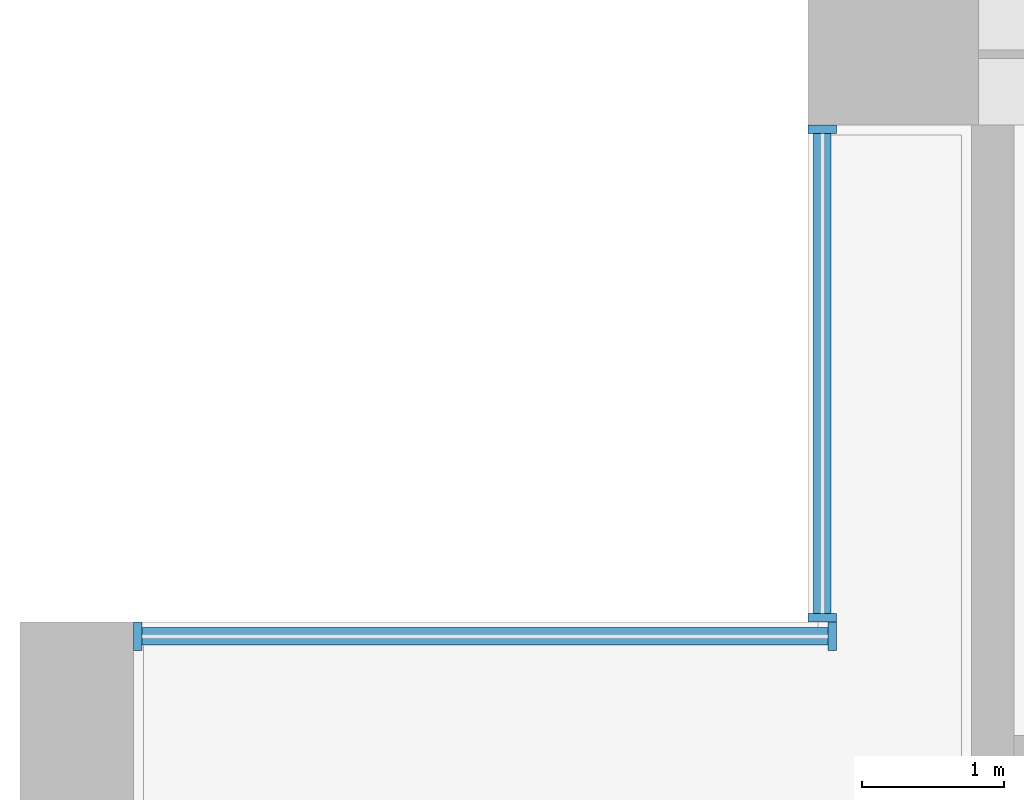
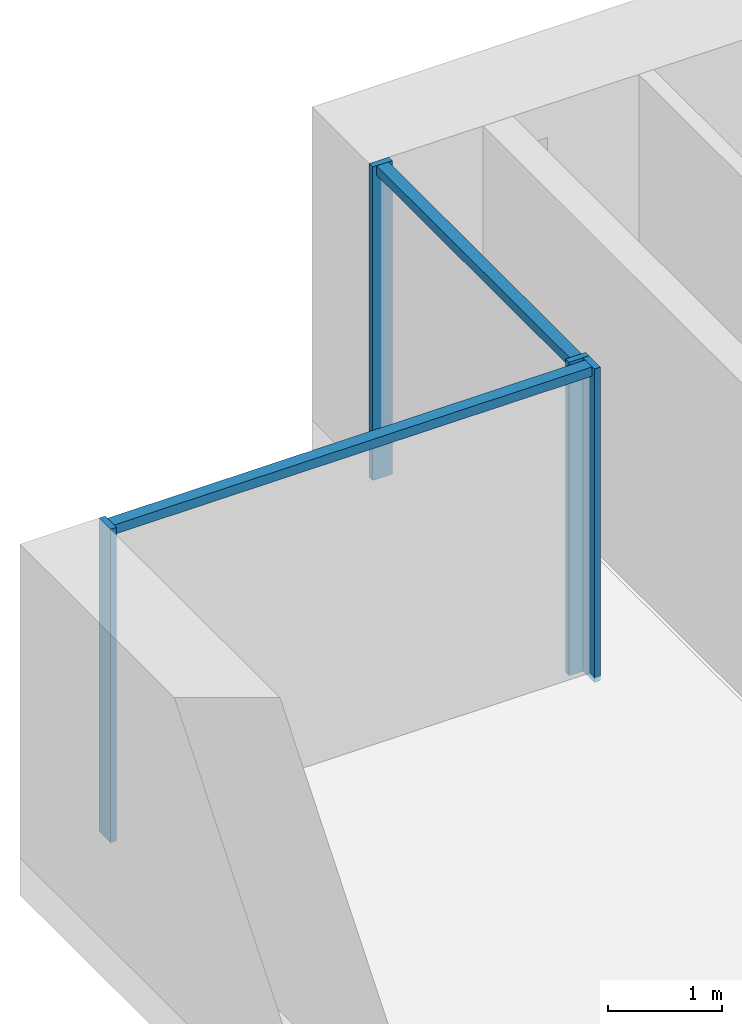
# One storey, part 4 of 17: 6 members, 2 elements without a shape of their own.
"""IFC4 building model written with IfcOpenShell, lengths in metres."""

from ifc_helpers import new_model, si_unit, direction, frame, origin, origin_2d, place, context, subcontext, project, spatial, rectangle, extrude, material, material_profile, profile_set, type_object, element, aggregate, save


model = new_model("IFC4")

# Units and contexts
model_context = context("Model", 3, precision=1e-05, world=origin(), true_north=direction((0.0, 1.0)))
body_context = subcontext(model_context, "Body", "Model", "MODEL_VIEW")
ifc_project = project(units=[si_unit("LENGTHUNIT", "METRE"), si_unit("AREAUNIT", "SQUARE_METRE"), si_unit("VOLUMEUNIT", "CUBIC_METRE"), si_unit("PLANEANGLEUNIT", "RADIAN"), si_unit("MASSUNIT", "GRAM", prefix="KILO")], contexts=[model_context])

# Site, building, storey
site_placement = place(None, origin())
site = spatial("IfcSite", under=ifc_project, at=site_placement, CompositionType="ELEMENT")
building_placement = place(site_placement, origin())
building = spatial("IfcBuilding", under=site, at=building_placement, Name="Calvaro Tower", CompositionType="ELEMENT")
storey_placement = place(building_placement, frame((0.0, 0.0, 67.5)))
storey = spatial("IfcBuildingStorey", under=building, at=storey_placement, Name="L16", CompositionType="ELEMENT", Elevation=67.5)

# Curtain wall, members
ifc_material_1 = material(Name="Anodised aluminium", Category="aluminium")
curtain_wall_type = type_object("IfcCurtainWallType", Name="Office curtain wall, lower zone", PredefinedType="NOTDEFINED", material=ifc_material_1)
curtain_wall_1_placement = place(storey_placement, origin())
curtain_wall_1 = element("IfcCurtainWall", 1, at=curtain_wall_1_placement, inside=storey, type_object=curtain_wall_type, Name="CW1 corner curtain wall", PredefinedType="NOTDEFINED")
ifc_material_2 = material(Name="Anodised aluminium", Category="aluminium")
ifc_material_profile_1 = material_profile(ifc_material_2, rectangle(XDim=0.199951171875, YDim=0.06005859375, at=origin_2d()), Name="Mullion S1 60 x 200")
ifc_profile_set_1 = profile_set([ifc_material_profile_1], Name="Anodised aluminium")
member_type_1 = type_object("IfcMemberType", Name="Mullion S1 60 x 200", PredefinedType="MULLION", material=ifc_profile_set_1)
member_1_placement = place(storey_placement, frame((5.64990234375, 41.530029296875, 0.0), z_axis=(0.0, 0.0, 1.0), x_axis=(-1.0, 0.0, 0.0)))
member_1 = element("IfcMember", 2, at=member_1_placement, type_object=member_type_1, Name="CW1 mullion 1", PredefinedType="MULLION", context=body_context, shape_type="SweptSolid", body=[
    extrude(rectangle(XDim=0.199951171875, YDim=0.06005859375, at=origin_2d()), origin(), (0.0, 0.0, 1.0), 3.35009765625),
])
member_2_placement = place(storey_placement, frame((5.64990234375, 44.969970703125, 0.0), z_axis=(0.0, 0.0, 1.0), x_axis=(-1.0, 0.0, 0.0)))
member_2 = element("IfcMember", 3, at=member_2_placement, type_object=member_type_1, Name="CW1 mullion 2", PredefinedType="MULLION", context=body_context, shape_type="SweptSolid", body=[
    extrude(rectangle(XDim=0.199951171875, YDim=0.06005859375, at=origin_2d()), origin(), (0.0, 0.0, 1.0), 3.35009765625),
])

curtain_wall_2_placement = place(storey_placement, origin())
curtain_wall_2 = element("IfcCurtainWall", 4, at=curtain_wall_2_placement, inside=storey, type_object=curtain_wall_type, Name="CW1 corner curtain wall", PredefinedType="NOTDEFINED")
member_3_placement = place(storey_placement, frame((0.830078125, 41.39990234375, 0.0), z_axis=(0.0, 0.0, 1.0), x_axis=(0.0, 1.0, 0.0)))
member_3 = element("IfcMember", 5, at=member_3_placement, type_object=member_type_1, Name="CW1 mullion 1", PredefinedType="MULLION", context=body_context, shape_type="SweptSolid", body=[
    extrude(rectangle(XDim=0.199951171875, YDim=0.06005859375, at=origin_2d()), origin(), (0.0, 0.0, 1.0), 3.35009765625),
])
member_4_placement = place(storey_placement, frame((5.719970703125, 41.39990234375, 0.0), z_axis=(0.0, 0.0, 1.0), x_axis=(0.0, 1.0, 0.0)))
member_4 = element("IfcMember", 6, at=member_4_placement, type_object=member_type_1, Name="CW1 mullion 2", PredefinedType="MULLION", context=body_context, shape_type="SweptSolid", body=[
    extrude(rectangle(XDim=0.199951171875, YDim=0.06005859375, at=origin_2d()), origin(), (0.0, 0.0, 1.0), 3.35009765625),
])

# Member
ifc_material_3 = material(Name="Anodised aluminium", Category="aluminium")
ifc_material_profile_2 = material_profile(ifc_material_3, rectangle(XDim=0.1201171875, YDim=0.10009765625, at=origin_2d()), Name="Transom S1 100 x 120")
ifc_profile_set_2 = profile_set([ifc_material_profile_2], Name="Anodised aluminium")
member_type_2 = type_object("IfcMemberType", Name="Transom S1 100 x 120", PredefinedType="USERDEFINED", material=ifc_profile_set_2)
member_5_placement = place(storey_placement, frame((5.64990234375, 41.56005859375, 3.300048828125), z_axis=(0.0, 1.0, 0.0), x_axis=(-1.0, 0.0, 0.0)))
member_5 = element("IfcMember", 7, at=member_5_placement, type_object=member_type_2, Name="CW1 transom 1.1", ObjectType="TRANSOM", PredefinedType="USERDEFINED", context=body_context, shape_type="SweptSolid", body=[
    extrude(rectangle(XDim=0.1201171875, YDim=0.10009765625, at=origin_2d()), origin(), (0.0, 0.0, 1.0), 3.3798828125),
])

aggregate(curtain_wall_1, [member_1, member_2, member_5])

member_6_placement = place(storey_placement, frame((0.860107421875, 41.39990234375, 3.300048828125), z_axis=(1.0, 0.0, 0.0), x_axis=(0.0, 1.0, 0.0)))
member_6 = element("IfcMember", 8, at=member_6_placement, type_object=member_type_2, Name="CW1 transom 1.1", ObjectType="TRANSOM", PredefinedType="USERDEFINED", context=body_context, shape_type="SweptSolid", body=[
    extrude(rectangle(XDim=0.1201171875, YDim=0.10009765625, at=origin_2d()), origin(), (0.0, 0.0, 1.0), 4.829833984375),
])

aggregate(curtain_wall_2, [member_3, member_4, member_6])

save(model, "model.ifc")
